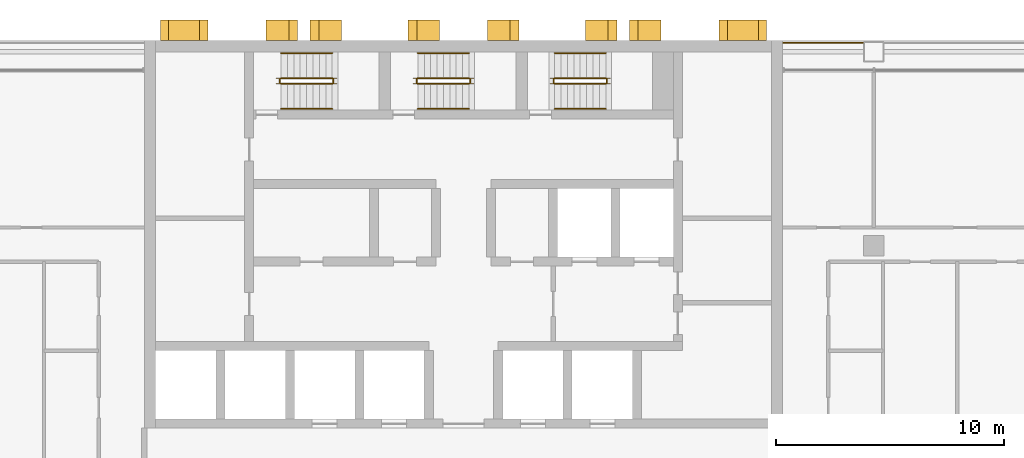
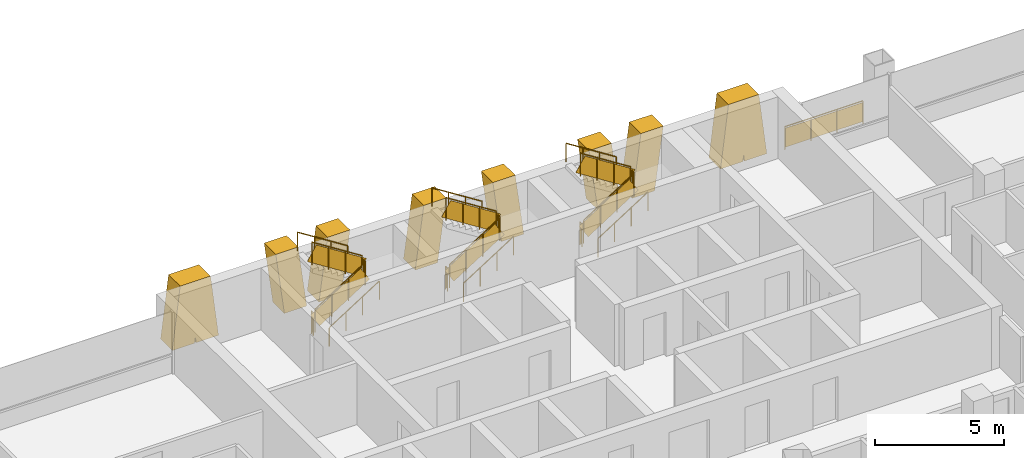
# One storey, part 17 of 18: 19 railings, 8 shading devices.
"""IFC4 building model written with IfcOpenShell, lengths in metres."""

from ifc_helpers import new_model, si_unit, direction, frame, origin, origin_2d, place, context, subcontext, project, spatial, polyline, rectangle, circle, outline, extrude, material, layer, layer_set, type_object, element, save


model = new_model("IFC4")

# Units and contexts
model_context = context("Model", 3, precision=1e-05, world=origin(), true_north=direction((0.0, 1.0)))
body_context = subcontext(model_context, "Body", "Model", "MODEL_VIEW")
ifc_project = project(units=[si_unit("LENGTHUNIT", "METRE"), si_unit("AREAUNIT", "SQUARE_METRE"), si_unit("VOLUMEUNIT", "CUBIC_METRE"), si_unit("PLANEANGLEUNIT", "RADIAN"), si_unit("MASSUNIT", "GRAM", prefix="KILO")], contexts=[model_context])

# Site, building, storey
site_placement = place(None, origin())
site = spatial("IfcSite", under=ifc_project, at=site_placement, CompositionType="ELEMENT")
building_placement = place(site_placement, origin())
building = spatial("IfcBuilding", under=site, at=building_placement, Name="Vidyagriha Tower", CompositionType="ELEMENT")
storey_placement = place(building_placement, frame((0.0, 0.0, 83.89990234375)))
storey = spatial("IfcBuildingStorey", under=building, at=storey_placement, Name="L21", CompositionType="ELEMENT", Elevation=83.89990234375)

# Shading devices
ifc_material_1 = material(Name="Precast concrete C40/50 with brick facing", Category="concrete")
ifc_layer_1 = layer(ifc_material_1, 1.0)
ifc_layer_set_1 = layer_set([ifc_layer_1], Name="Precast concrete C40/50 with brick facing")
shading_device_type_1 = type_object("IfcShadingDeviceType", Name="Brick-faced rear rib arm leaning 8 degrees", PredefinedType="USERDEFINED", material=ifc_layer_set_1)
shading_device_1_placement = place(storey_placement, frame((6.728515625, 20.449951171875, 0.0), z_axis=(0.0, 0.0, 1.0), x_axis=(-1.0, 0.0, 0.0)))
element("IfcShadingDevice", 1, at=shading_device_1_placement, inside=storey, type_object=shading_device_type_1, Name="Rear rib arm L21 R08.2a", ObjectType="BLADE FIN", PredefinedType="USERDEFINED", context=body_context, shape_type="SweptSolid", body=[
    extrude(outline(polyline([(0.0, 0.0), (1.0, 0.0), (1.3857421875, 2.920166015625), (0.3857421875, 2.920166015625), (0.0, 0.0)])), frame((0.0, 0.449951171875, 0.0), z_axis=(0.0, -1.0, 0.0), x_axis=(1.0, 0.0, 0.0)), (0.0, 0.0, 1.0), 0.89990234375),
])
shading_device_2_placement = place(storey_placement, frame((8.656982421875, 20.449951171875, 0.0), z_axis=(0.0, 0.0, 1.0), x_axis=(-1.0, 0.0, 0.0)))
element("IfcShadingDevice", 2, at=shading_device_2_placement, inside=storey, type_object=shading_device_type_1, Name="Rear rib arm L21 R08.2b", ObjectType="BLADE FIN", PredefinedType="USERDEFINED", context=body_context, shape_type="SweptSolid", body=[
    extrude(outline(polyline([(0.3857421875, 0.0), (1.3857421875, 0.0), (1.0, 2.920166015625), (0.0, 2.920166015625), (0.3857421875, 0.0)])), frame((0.0, 0.449951171875, 0.0), z_axis=(0.0, -1.0, 0.0), x_axis=(1.0, 0.0, 0.0)), (0.0, 0.0, 1.0), 0.89990234375),
])
shading_device_3_placement = place(storey_placement, frame((2.4287109375, 20.449951171875, 0.0), z_axis=(0.0, 0.0, 1.0), x_axis=(-1.0, 0.0, 0.0)))
element("IfcShadingDevice", 3, at=shading_device_3_placement, inside=storey, type_object=shading_device_type_1, Name="Rear rib arm L21 R08.3a", ObjectType="BLADE FIN", PredefinedType="USERDEFINED", context=body_context, shape_type="SweptSolid", body=[
    extrude(outline(polyline([(0.0, 0.0), (1.0, 0.0), (1.3857421875, 2.920166015625), (0.3857421875, 2.920166015625), (0.0, 0.0)])), frame((0.0, 0.449951171875, 0.0), z_axis=(0.0, -1.0, 0.0), x_axis=(1.0, 0.0, 0.0)), (0.0, 0.0, 1.0), 0.89990234375),
])
shading_device_4_placement = place(storey_placement, frame((-1.04296875, 20.449951171875, 0.0), z_axis=(0.0, 0.0, 1.0), x_axis=(-1.0, 0.0, 0.0)))
element("IfcShadingDevice", 4, at=shading_device_4_placement, inside=storey, type_object=shading_device_type_1, Name="Rear rib arm L21 R08.3b", ObjectType="BLADE FIN", PredefinedType="USERDEFINED", context=body_context, shape_type="SweptSolid", body=[
    extrude(outline(polyline([(0.3857421875, 0.0), (1.3857421875, 0.0), (1.0, 2.920166015625), (0.0, 2.920166015625), (0.3857421875, 0.0)])), frame((0.0, 0.449951171875, 0.0), z_axis=(0.0, -1.0, 0.0), x_axis=(1.0, 0.0, 0.0)), (0.0, 0.0, 1.0), 0.89990234375),
])
shading_device_5_placement = place(storey_placement, frame((-7.271484375, 20.449951171875, 0.0), z_axis=(0.0, 0.0, 1.0), x_axis=(-1.0, 0.0, 0.0)))
element("IfcShadingDevice", 5, at=shading_device_5_placement, inside=storey, type_object=shading_device_type_1, Name="Rear rib arm L21 R08.4a", ObjectType="BLADE FIN", PredefinedType="USERDEFINED", context=body_context, shape_type="SweptSolid", body=[
    extrude(outline(polyline([(0.0, 0.0), (1.0, 0.0), (1.3857421875, 2.920166015625), (0.3857421875, 2.920166015625), (0.0, 0.0)])), frame((0.0, 0.449951171875, 0.0), z_axis=(0.0, -1.0, 0.0), x_axis=(1.0, 0.0, 0.0)), (0.0, 0.0, 1.0), 0.89990234375),
])
shading_device_6_placement = place(storey_placement, frame((-5.343017578125, 20.449951171875, 0.0), z_axis=(0.0, 0.0, 1.0), x_axis=(-1.0, 0.0, 0.0)))
element("IfcShadingDevice", 6, at=shading_device_6_placement, inside=storey, type_object=shading_device_type_1, Name="Rear rib arm L21 R08.4b", ObjectType="BLADE FIN", PredefinedType="USERDEFINED", context=body_context, shape_type="SweptSolid", body=[
    extrude(outline(polyline([(0.3857421875, 0.0), (1.3857421875, 0.0), (1.0, 2.920166015625), (0.0, 2.920166015625), (0.3857421875, 0.0)])), frame((0.0, 0.449951171875, 0.0), z_axis=(0.0, -1.0, 0.0), x_axis=(1.0, 0.0, 0.0)), (0.0, 0.0, 1.0), 0.89990234375),
])
ifc_material_2 = material(Name="Precast concrete C40/50 with brick facing", Category="concrete")
ifc_layer_2 = layer(ifc_material_2, 1.0)
ifc_layer_set_2 = layer_set([ifc_layer_2], Name="Precast concrete C40/50 with brick facing")
shading_device_type_2 = type_object("IfcShadingDeviceType", Name="Brick-faced rear rib forking 8 degrees", PredefinedType="USERDEFINED", material=ifc_layer_set_2)
for number, where, z_axis, x_axis, name in (
    (7, (13.28564453125, 20.449951171875, 0.0), (0.0, 0.0, 1.0), (-1.0, 0.0, 0.0), "Rear rib fork L21 R08.1a"),
    (8, (-11.21435546875, 20.449951171875, 0.0), (0.0, 0.0, 1.0), (-1.0, 0.0, 0.0), "Rear rib fork L21 R08.5a"),
):
    element("IfcShadingDevice", number, at=place(storey_placement, frame(where, z_axis=z_axis, x_axis=x_axis)), inside=storey, type_object=shading_device_type_2, Name=name, ObjectType="BLADE FIN", PredefinedType="USERDEFINED", context=body_context, shape_type="SweptSolid", body=[
        extrude(outline(polyline([(1.0, 0.0), (1.03564453125, 0.2919921875), (1.0712890625, 0.0), (2.0712890625, 0.0), (1.71435546875, 2.920166015625), (0.357177734375, 2.920166015625), (0.0, 0.0), (1.0, 0.0)])), frame((0.0, 0.449951171875, 0.0), z_axis=(0.0, -1.0, 0.0), x_axis=(1.0, 0.0, 0.0)), (0.0, 0.0, 1.0), 0.89990234375),
    ])

# Railings
ifc_material_3 = material(Name="Steel ASTM A500 Grade C black painted", Category="steel")
railing_type_1 = type_object("IfcRailingType", Name="Gallery guard 1100", PredefinedType="GUARDRAIL", material=ifc_material_3)
railing_1_placement = place(storey_placement, frame((14.030029296875, 19.89990234375, 0.0)))
element("IfcRailing", 9, at=railing_1_placement, inside=storey, type_object=railing_type_1, Name="Gallery guard L21 9", PredefinedType="GUARDRAIL", context=body_context, shape_type="SweptSolid", body=[
    extrude(circle(Radius=0.02490234375, at=origin_2d()), frame((0.0, 0.0, 1.0751953125), z_axis=(1.0, 0.0, 0.0), x_axis=(0.0, 1.0, 0.0)), (0.0, 0.0, 1.0), 3.489990234375),
    extrude(circle(Radius=0.02001953125, at=origin_2d()), origin(), (0.0, 0.0, 1.0), 1.050048828125),
    extrude(circle(Radius=0.02001953125, at=origin_2d()), frame((1.163330078125, 0.0, 0.0)), (0.0, 0.0, 1.0), 1.050048828125),
    extrude(circle(Radius=0.02001953125, at=origin_2d()), frame((2.32666015625, 0.0, 0.0)), (0.0, 0.0, 1.0), 1.050048828125),
    extrude(circle(Radius=0.02001953125, at=origin_2d()), frame((3.489990234375, 0.0, 0.0)), (0.0, 0.0, 1.0), 1.050048828125),
    extrude(rectangle(XDim=0.010009765625, YDim=0.900146484375, at=origin_2d()), frame((0.0, 0.0, 0.550048828125), z_axis=(1.0, 0.0, 0.0), x_axis=(0.0, 1.0, 0.0)), (0.0, 0.0, 1.0), 3.489990234375),
])
ifc_material_4 = material(Name="Steel ASTM A500 Grade C", Category="steel")
railing_type_2 = type_object("IfcRailingType", Name="Stair guard 1100 mm, steel balustrade", PredefinedType="GUARDRAIL", material=ifc_material_4)
railing_2_placement = place(storey_placement, frame((-8.0, 18.10009765625, 0.177978515625)))
element("IfcRailing", 10, at=railing_2_placement, inside=storey, type_object=railing_type_2, Name="L21 ST1 stair guard 1", PredefinedType="GUARDRAIL", context=body_context, shape_type="SweptSolid", body=[
    extrude(circle(Radius=0.02392578125, at=origin_2d()), frame((0.0, 0.0, 1.076171875), z_axis=(0.8442293374, 0.0, 0.53598211339), x_axis=(0.0, 1.0, 0.0)), (0.0, 0.0, 1.0), 2.6533203125),
    extrude(circle(Radius=0.02099609375, at=origin_2d()), origin(), (0.0, 0.0, 1.0), 1.052001953125),
    extrude(circle(Radius=0.02099609375, at=origin_2d()), frame((0.74658203125, 0.0, 0.47412109375)), (0.0, 0.0, 1.0), 1.052001953125),
    extrude(circle(Radius=0.02099609375, at=origin_2d()), frame((1.493408203125, 0.0, 0.947998046875)), (0.0, 0.0, 1.0), 1.052001953125),
    extrude(circle(Radius=0.02099609375, at=origin_2d()), frame((2.239990234375, 0.0, 1.422119140625)), (0.0, 0.0, 1.0), 1.052001953125),
    extrude(rectangle(XDim=0.010009765625, YDim=0.761474609375, at=origin_2d()), frame((0.0, 0.0, 0.551025390625), z_axis=(0.8442293374, 0.0, 0.53598211339), x_axis=(0.0, 1.0, 0.0)), (0.0, 0.0, 1.0), 2.6533203125),
])
railing_3_placement = place(storey_placement, frame((-5.7099609375, 18.14990234375, 1.60009765625)))
element("IfcRailing", 11, at=railing_3_placement, inside=storey, type_object=railing_type_2, Name="L21 ST1 stair guard 2", PredefinedType="GUARDRAIL", context=body_context, shape_type="SweptSolid", body=[
    extrude(circle(Radius=0.02392578125, at=origin_2d()), frame((0.0, 0.0, 1.076171875), z_axis=(0.0, 1.0, 0.0), x_axis=(-1.0, 0.0, 0.0)), (0.0, 0.0, 1.0), 0.150146484375),
    extrude(circle(Radius=0.02099609375, at=origin_2d()), origin(), (0.0, 0.0, 1.0), 1.052001953125),
    extrude(circle(Radius=0.02099609375, at=origin_2d()), frame((0.0, 0.150146484375, 0.0)), (0.0, 0.0, 1.0), 1.052001953125),
    extrude(rectangle(XDim=0.010009765625, YDim=0.902099609375, at=origin_2d()), frame((0.0, 0.0, 0.551025390625), z_axis=(0.0, 1.0, 0.0), x_axis=(-1.0, 0.0, 0.0)), (0.0, 0.0, 1.0), 0.150146484375),
])
railing_4_placement = place(storey_placement, frame((-5.760009765625, 18.35009765625, 1.77783203125)))
element("IfcRailing", 12, at=railing_4_placement, inside=storey, type_object=railing_type_2, Name="L21 ST1 stair guard 3", PredefinedType="GUARDRAIL", context=body_context, shape_type="SweptSolid", body=[
    extrude(circle(Radius=0.02392578125, at=origin_2d()), frame((0.0, 0.0, 1.076171875), z_axis=(-0.84418770128, 0.0, 0.536047689118), x_axis=(0.0, -1.0, 0.0)), (0.0, 0.0, 1.0), 2.6533203125),
    extrude(circle(Radius=0.02099609375, at=origin_2d()), origin(), (0.0, 0.0, 1.0), 1.052001953125),
    extrude(circle(Radius=0.02099609375, at=origin_2d()), frame((-0.74658203125, 0.0, 0.47412109375)), (0.0, 0.0, 1.0), 1.052001953125),
    extrude(circle(Radius=0.02099609375, at=origin_2d()), frame((-1.493408203125, 0.0, 0.9482421875)), (0.0, 0.0, 1.0), 1.052001953125),
    extrude(circle(Radius=0.02099609375, at=origin_2d()), frame((-2.239990234375, 0.0, 1.42236328125)), (0.0, 0.0, 1.0), 1.052001953125),
    extrude(rectangle(XDim=0.010009765625, YDim=0.761474609375, at=origin_2d()), frame((0.0, 0.0, 0.551025390625), z_axis=(-0.84418770128, 0.0, 0.536047689118), x_axis=(0.0, -1.0, 0.0)), (0.0, 0.0, 1.0), 2.6533203125),
])
railing_5_placement = place(storey_placement, frame((-8.050048828125, 18.14990234375, 0.0)))
element("IfcRailing", 13, at=railing_5_placement, inside=storey, type_object=railing_type_2, Name="L21 ST1 stair guard 4", PredefinedType="GUARDRAIL", context=body_context, shape_type="SweptSolid", body=[
    extrude(circle(Radius=0.02392578125, at=origin_2d()), frame((0.0, 0.0, 1.076171875), z_axis=(0.0, 1.0, 0.0), x_axis=(-1.0, 0.0, 0.0)), (0.0, 0.0, 1.0), 0.150146484375),
    extrude(circle(Radius=0.02099609375, at=origin_2d()), origin(), (0.0, 0.0, 1.0), 1.052001953125),
    extrude(circle(Radius=0.02099609375, at=origin_2d()), frame((0.0, 0.150146484375, 0.0)), (0.0, 0.0, 1.0), 1.052001953125),
    extrude(rectangle(XDim=0.010009765625, YDim=0.902099609375, at=origin_2d()), frame((0.0, 0.0, 0.551025390625), z_axis=(0.0, 1.0, 0.0), x_axis=(-1.0, 0.0, 0.0)), (0.0, 0.0, 1.0), 0.150146484375),
])
railing_6_placement = place(storey_placement, frame((-2.0, 18.10009765625, 0.177978515625)))
element("IfcRailing", 14, at=railing_6_placement, inside=storey, type_object=railing_type_2, Name="L21 ST2 stair guard 1", PredefinedType="GUARDRAIL", context=body_context, shape_type="SweptSolid", body=[
    extrude(circle(Radius=0.02392578125, at=origin_2d()), frame((0.0, 0.0, 1.076171875), z_axis=(0.8442293374, 0.0, 0.53598211339), x_axis=(0.0, 1.0, 0.0)), (0.0, 0.0, 1.0), 2.6533203125),
    extrude(circle(Radius=0.02099609375, at=origin_2d()), origin(), (0.0, 0.0, 1.0), 1.052001953125),
    extrude(circle(Radius=0.02099609375, at=origin_2d()), frame((0.74658203125, 0.0, 0.47412109375)), (0.0, 0.0, 1.0), 1.052001953125),
    extrude(circle(Radius=0.02099609375, at=origin_2d()), frame((1.493408203125, 0.0, 0.947998046875)), (0.0, 0.0, 1.0), 1.052001953125),
    extrude(circle(Radius=0.02099609375, at=origin_2d()), frame((2.239990234375, 0.0, 1.422119140625)), (0.0, 0.0, 1.0), 1.052001953125),
    extrude(rectangle(XDim=0.010009765625, YDim=0.761474609375, at=origin_2d()), frame((0.0, 0.0, 0.551025390625), z_axis=(0.8442293374, 0.0, 0.53598211339), x_axis=(0.0, 1.0, 0.0)), (0.0, 0.0, 1.0), 2.6533203125),
])
railing_7_placement = place(storey_placement, frame((0.2900390625, 18.14990234375, 1.60009765625)))
element("IfcRailing", 15, at=railing_7_placement, inside=storey, type_object=railing_type_2, Name="L21 ST2 stair guard 2", PredefinedType="GUARDRAIL", context=body_context, shape_type="SweptSolid", body=[
    extrude(circle(Radius=0.02392578125, at=origin_2d()), frame((0.0, 0.0, 1.076171875), z_axis=(0.0, 1.0, 0.0), x_axis=(-1.0, 0.0, 0.0)), (0.0, 0.0, 1.0), 0.150146484375),
    extrude(circle(Radius=0.02099609375, at=origin_2d()), origin(), (0.0, 0.0, 1.0), 1.052001953125),
    extrude(circle(Radius=0.02099609375, at=origin_2d()), frame((0.0, 0.150146484375, 0.0)), (0.0, 0.0, 1.0), 1.052001953125),
    extrude(rectangle(XDim=0.010009765625, YDim=0.902099609375, at=origin_2d()), frame((0.0, 0.0, 0.551025390625), z_axis=(0.0, 1.0, 0.0), x_axis=(-1.0, 0.0, 0.0)), (0.0, 0.0, 1.0), 0.150146484375),
])
railing_8_placement = place(storey_placement, frame((0.239990234375, 18.35009765625, 1.77783203125)))
element("IfcRailing", 16, at=railing_8_placement, inside=storey, type_object=railing_type_2, Name="L21 ST2 stair guard 3", PredefinedType="GUARDRAIL", context=body_context, shape_type="SweptSolid", body=[
    extrude(circle(Radius=0.02392578125, at=origin_2d()), frame((0.0, 0.0, 1.076171875), z_axis=(-0.84418770128, 0.0, 0.536047689118), x_axis=(0.0, -1.0, 0.0)), (0.0, 0.0, 1.0), 2.6533203125),
    extrude(circle(Radius=0.02099609375, at=origin_2d()), origin(), (0.0, 0.0, 1.0), 1.052001953125),
    extrude(circle(Radius=0.02099609375, at=origin_2d()), frame((-0.74658203125, 0.0, 0.47412109375)), (0.0, 0.0, 1.0), 1.052001953125),
    extrude(circle(Radius=0.02099609375, at=origin_2d()), frame((-1.493408203125, 0.0, 0.9482421875)), (0.0, 0.0, 1.0), 1.052001953125),
    extrude(circle(Radius=0.02099609375, at=origin_2d()), frame((-2.239990234375, 0.0, 1.42236328125)), (0.0, 0.0, 1.0), 1.052001953125),
    extrude(rectangle(XDim=0.010009765625, YDim=0.761474609375, at=origin_2d()), frame((0.0, 0.0, 0.551025390625), z_axis=(-0.84418770128, 0.0, 0.536047689118), x_axis=(0.0, -1.0, 0.0)), (0.0, 0.0, 1.0), 2.6533203125),
])
railing_9_placement = place(storey_placement, frame((-2.050048828125, 18.14990234375, 0.0)))
element("IfcRailing", 17, at=railing_9_placement, inside=storey, type_object=railing_type_2, Name="L21 ST2 stair guard 4", PredefinedType="GUARDRAIL", context=body_context, shape_type="SweptSolid", body=[
    extrude(circle(Radius=0.02392578125, at=origin_2d()), frame((0.0, 0.0, 1.076171875), z_axis=(0.0, 1.0, 0.0), x_axis=(-1.0, 0.0, 0.0)), (0.0, 0.0, 1.0), 0.150146484375),
    extrude(circle(Radius=0.02099609375, at=origin_2d()), origin(), (0.0, 0.0, 1.0), 1.052001953125),
    extrude(circle(Radius=0.02099609375, at=origin_2d()), frame((0.0, 0.150146484375, 0.0)), (0.0, 0.0, 1.0), 1.052001953125),
    extrude(rectangle(XDim=0.010009765625, YDim=0.902099609375, at=origin_2d()), frame((0.0, 0.0, 0.551025390625), z_axis=(0.0, 1.0, 0.0), x_axis=(-1.0, 0.0, 0.0)), (0.0, 0.0, 1.0), 0.150146484375),
])
railing_10_placement = place(storey_placement, frame((4.0, 18.10009765625, 0.177978515625)))
element("IfcRailing", 18, at=railing_10_placement, inside=storey, type_object=railing_type_2, Name="L21 ST3 stair guard 1", PredefinedType="GUARDRAIL", context=body_context, shape_type="SweptSolid", body=[
    extrude(circle(Radius=0.02392578125, at=origin_2d()), frame((0.0, 0.0, 1.076171875), z_axis=(0.8442293374, 0.0, 0.53598211339), x_axis=(0.0, 1.0, 0.0)), (0.0, 0.0, 1.0), 2.6533203125),
    extrude(circle(Radius=0.02099609375, at=origin_2d()), origin(), (0.0, 0.0, 1.0), 1.052001953125),
    extrude(circle(Radius=0.02099609375, at=origin_2d()), frame((0.74658203125, 0.0, 0.47412109375)), (0.0, 0.0, 1.0), 1.052001953125),
    extrude(circle(Radius=0.02099609375, at=origin_2d()), frame((1.493408203125, 0.0, 0.947998046875)), (0.0, 0.0, 1.0), 1.052001953125),
    extrude(circle(Radius=0.02099609375, at=origin_2d()), frame((2.239990234375, 0.0, 1.422119140625)), (0.0, 0.0, 1.0), 1.052001953125),
    extrude(rectangle(XDim=0.010009765625, YDim=0.761474609375, at=origin_2d()), frame((0.0, 0.0, 0.551025390625), z_axis=(0.8442293374, 0.0, 0.53598211339), x_axis=(0.0, 1.0, 0.0)), (0.0, 0.0, 1.0), 2.6533203125),
])
railing_11_placement = place(storey_placement, frame((6.2900390625, 18.14990234375, 1.60009765625)))
element("IfcRailing", 19, at=railing_11_placement, inside=storey, type_object=railing_type_2, Name="L21 ST3 stair guard 2", PredefinedType="GUARDRAIL", context=body_context, shape_type="SweptSolid", body=[
    extrude(circle(Radius=0.02392578125, at=origin_2d()), frame((0.0, 0.0, 1.076171875), z_axis=(0.0, 1.0, 0.0), x_axis=(-1.0, 0.0, 0.0)), (0.0, 0.0, 1.0), 0.150146484375),
    extrude(circle(Radius=0.02099609375, at=origin_2d()), origin(), (0.0, 0.0, 1.0), 1.052001953125),
    extrude(circle(Radius=0.02099609375, at=origin_2d()), frame((0.0, 0.150146484375, 0.0)), (0.0, 0.0, 1.0), 1.052001953125),
    extrude(rectangle(XDim=0.010009765625, YDim=0.902099609375, at=origin_2d()), frame((0.0, 0.0, 0.551025390625), z_axis=(0.0, 1.0, 0.0), x_axis=(-1.0, 0.0, 0.0)), (0.0, 0.0, 1.0), 0.150146484375),
])
railing_12_placement = place(storey_placement, frame((6.239990234375, 18.35009765625, 1.77783203125)))
element("IfcRailing", 20, at=railing_12_placement, inside=storey, type_object=railing_type_2, Name="L21 ST3 stair guard 3", PredefinedType="GUARDRAIL", context=body_context, shape_type="SweptSolid", body=[
    extrude(circle(Radius=0.02392578125, at=origin_2d()), frame((0.0, 0.0, 1.076171875), z_axis=(-0.84418770128, 0.0, 0.536047689118), x_axis=(0.0, -1.0, 0.0)), (0.0, 0.0, 1.0), 2.6533203125),
    extrude(circle(Radius=0.02099609375, at=origin_2d()), origin(), (0.0, 0.0, 1.0), 1.052001953125),
    extrude(circle(Radius=0.02099609375, at=origin_2d()), frame((-0.74658203125, 0.0, 0.47412109375)), (0.0, 0.0, 1.0), 1.052001953125),
    extrude(circle(Radius=0.02099609375, at=origin_2d()), frame((-1.493408203125, 0.0, 0.9482421875)), (0.0, 0.0, 1.0), 1.052001953125),
    extrude(circle(Radius=0.02099609375, at=origin_2d()), frame((-2.239990234375, 0.0, 1.42236328125)), (0.0, 0.0, 1.0), 1.052001953125),
    extrude(rectangle(XDim=0.010009765625, YDim=0.761474609375, at=origin_2d()), frame((0.0, 0.0, 0.551025390625), z_axis=(-0.84418770128, 0.0, 0.536047689118), x_axis=(0.0, -1.0, 0.0)), (0.0, 0.0, 1.0), 2.6533203125),
])
railing_13_placement = place(storey_placement, frame((3.949951171875, 18.14990234375, 0.0)))
element("IfcRailing", 21, at=railing_13_placement, inside=storey, type_object=railing_type_2, Name="L21 ST3 stair guard 4", PredefinedType="GUARDRAIL", context=body_context, shape_type="SweptSolid", body=[
    extrude(circle(Radius=0.02392578125, at=origin_2d()), frame((0.0, 0.0, 1.076171875), z_axis=(0.0, 1.0, 0.0), x_axis=(-1.0, 0.0, 0.0)), (0.0, 0.0, 1.0), 0.150146484375),
    extrude(circle(Radius=0.02099609375, at=origin_2d()), origin(), (0.0, 0.0, 1.0), 1.052001953125),
    extrude(circle(Radius=0.02099609375, at=origin_2d()), frame((0.0, 0.150146484375, 0.0)), (0.0, 0.0, 1.0), 1.052001953125),
    extrude(rectangle(XDim=0.010009765625, YDim=0.902099609375, at=origin_2d()), frame((0.0, 0.0, 0.551025390625), z_axis=(0.0, 1.0, 0.0), x_axis=(-1.0, 0.0, 0.0)), (0.0, 0.0, 1.0), 0.150146484375),
])
ifc_material_5 = material(Name="Steel ASTM A500 Grade C", Category="steel")
railing_type_3 = type_object("IfcRailingType", Name="Stair handrail 900 mm, steel", PredefinedType="HANDRAIL", material=ifc_material_5)
railing_14_placement = place(storey_placement, frame((-8.0, 17.0, 0.177978515625)))
element("IfcRailing", 22, at=railing_14_placement, inside=storey, type_object=railing_type_3, Name="L21 ST1 stair handrail 1", PredefinedType="HANDRAIL", context=body_context, shape_type="SweptSolid", body=[
    extrude(circle(Radius=0.02392578125, at=origin_2d()), frame((0.0, 0.0, 0.8759765625), z_axis=(0.8442293374, 0.0, 0.53598211339), x_axis=(0.0, 1.0, 0.0)), (0.0, 0.0, 1.0), 2.6533203125),
    extrude(circle(Radius=0.02099609375, at=origin_2d()), origin(), (0.0, 0.0, 1.0), 0.851806640625),
    extrude(circle(Radius=0.02099609375, at=origin_2d()), frame((0.74658203125, 0.0, 0.47412109375)), (0.0, 0.0, 1.0), 0.851806640625),
    extrude(circle(Radius=0.02099609375, at=origin_2d()), frame((1.493408203125, 0.0, 0.947998046875)), (0.0, 0.0, 1.0), 0.851806640625),
    extrude(circle(Radius=0.02099609375, at=origin_2d()), frame((2.239990234375, 0.0, 1.422119140625)), (0.0, 0.0, 1.0), 0.851806640625),
])
railing_15_placement = place(storey_placement, frame((-5.760009765625, 19.449951171875, 1.77783203125)))
element("IfcRailing", 23, at=railing_15_placement, inside=storey, type_object=railing_type_3, Name="L21 ST1 stair handrail 2", PredefinedType="HANDRAIL", context=body_context, shape_type="SweptSolid", body=[
    extrude(circle(Radius=0.02392578125, at=origin_2d()), frame((0.0, 0.0, 0.8759765625), z_axis=(-0.84418770128, 0.0, 0.536047689118), x_axis=(0.0, -1.0, 0.0)), (0.0, 0.0, 1.0), 2.6533203125),
    extrude(circle(Radius=0.02099609375, at=origin_2d()), origin(), (0.0, 0.0, 1.0), 0.851806640625),
    extrude(circle(Radius=0.02099609375, at=origin_2d()), frame((-0.74658203125, 0.0, 0.47412109375)), (0.0, 0.0, 1.0), 0.851806640625),
    extrude(circle(Radius=0.02099609375, at=origin_2d()), frame((-1.493408203125, 0.0, 0.9482421875)), (0.0, 0.0, 1.0), 0.851806640625),
    extrude(circle(Radius=0.02099609375, at=origin_2d()), frame((-2.239990234375, 0.0, 1.42236328125)), (0.0, 0.0, 1.0), 0.851806640625),
])
railing_16_placement = place(storey_placement, frame((-2.0, 17.0, 0.177978515625)))
element("IfcRailing", 24, at=railing_16_placement, inside=storey, type_object=railing_type_3, Name="L21 ST2 stair handrail 1", PredefinedType="HANDRAIL", context=body_context, shape_type="SweptSolid", body=[
    extrude(circle(Radius=0.02392578125, at=origin_2d()), frame((0.0, 0.0, 0.8759765625), z_axis=(0.8442293374, 0.0, 0.53598211339), x_axis=(0.0, 1.0, 0.0)), (0.0, 0.0, 1.0), 2.6533203125),
    extrude(circle(Radius=0.02099609375, at=origin_2d()), origin(), (0.0, 0.0, 1.0), 0.851806640625),
    extrude(circle(Radius=0.02099609375, at=origin_2d()), frame((0.74658203125, 0.0, 0.47412109375)), (0.0, 0.0, 1.0), 0.851806640625),
    extrude(circle(Radius=0.02099609375, at=origin_2d()), frame((1.493408203125, 0.0, 0.947998046875)), (0.0, 0.0, 1.0), 0.851806640625),
    extrude(circle(Radius=0.02099609375, at=origin_2d()), frame((2.239990234375, 0.0, 1.422119140625)), (0.0, 0.0, 1.0), 0.851806640625),
])
railing_17_placement = place(storey_placement, frame((0.239990234375, 19.449951171875, 1.77783203125)))
element("IfcRailing", 25, at=railing_17_placement, inside=storey, type_object=railing_type_3, Name="L21 ST2 stair handrail 2", PredefinedType="HANDRAIL", context=body_context, shape_type="SweptSolid", body=[
    extrude(circle(Radius=0.02392578125, at=origin_2d()), frame((0.0, 0.0, 0.8759765625), z_axis=(-0.84418770128, 0.0, 0.536047689118), x_axis=(0.0, -1.0, 0.0)), (0.0, 0.0, 1.0), 2.6533203125),
    extrude(circle(Radius=0.02099609375, at=origin_2d()), origin(), (0.0, 0.0, 1.0), 0.851806640625),
    extrude(circle(Radius=0.02099609375, at=origin_2d()), frame((-0.74658203125, 0.0, 0.47412109375)), (0.0, 0.0, 1.0), 0.851806640625),
    extrude(circle(Radius=0.02099609375, at=origin_2d()), frame((-1.493408203125, 0.0, 0.9482421875)), (0.0, 0.0, 1.0), 0.851806640625),
    extrude(circle(Radius=0.02099609375, at=origin_2d()), frame((-2.239990234375, 0.0, 1.42236328125)), (0.0, 0.0, 1.0), 0.851806640625),
])
railing_18_placement = place(storey_placement, frame((4.0, 17.0, 0.177978515625)))
element("IfcRailing", 26, at=railing_18_placement, inside=storey, type_object=railing_type_3, Name="L21 ST3 stair handrail 1", PredefinedType="HANDRAIL", context=body_context, shape_type="SweptSolid", body=[
    extrude(circle(Radius=0.02392578125, at=origin_2d()), frame((0.0, 0.0, 0.8759765625), z_axis=(0.8442293374, 0.0, 0.53598211339), x_axis=(0.0, 1.0, 0.0)), (0.0, 0.0, 1.0), 2.6533203125),
    extrude(circle(Radius=0.02099609375, at=origin_2d()), origin(), (0.0, 0.0, 1.0), 0.851806640625),
    extrude(circle(Radius=0.02099609375, at=origin_2d()), frame((0.74658203125, 0.0, 0.47412109375)), (0.0, 0.0, 1.0), 0.851806640625),
    extrude(circle(Radius=0.02099609375, at=origin_2d()), frame((1.493408203125, 0.0, 0.947998046875)), (0.0, 0.0, 1.0), 0.851806640625),
    extrude(circle(Radius=0.02099609375, at=origin_2d()), frame((2.239990234375, 0.0, 1.422119140625)), (0.0, 0.0, 1.0), 0.851806640625),
])
railing_19_placement = place(storey_placement, frame((6.239990234375, 19.449951171875, 1.77783203125)))
element("IfcRailing", 27, at=railing_19_placement, inside=storey, type_object=railing_type_3, Name="L21 ST3 stair handrail 2", PredefinedType="HANDRAIL", context=body_context, shape_type="SweptSolid", body=[
    extrude(circle(Radius=0.02392578125, at=origin_2d()), frame((0.0, 0.0, 0.8759765625), z_axis=(-0.84418770128, 0.0, 0.536047689118), x_axis=(0.0, -1.0, 0.0)), (0.0, 0.0, 1.0), 2.6533203125),
    extrude(circle(Radius=0.02099609375, at=origin_2d()), origin(), (0.0, 0.0, 1.0), 0.851806640625),
    extrude(circle(Radius=0.02099609375, at=origin_2d()), frame((-0.74658203125, 0.0, 0.47412109375)), (0.0, 0.0, 1.0), 0.851806640625),
    extrude(circle(Radius=0.02099609375, at=origin_2d()), frame((-1.493408203125, 0.0, 0.9482421875)), (0.0, 0.0, 1.0), 0.851806640625),
    extrude(circle(Radius=0.02099609375, at=origin_2d()), frame((-2.239990234375, 0.0, 1.42236328125)), (0.0, 0.0, 1.0), 0.851806640625),
])

save(model, "model.ifc")
